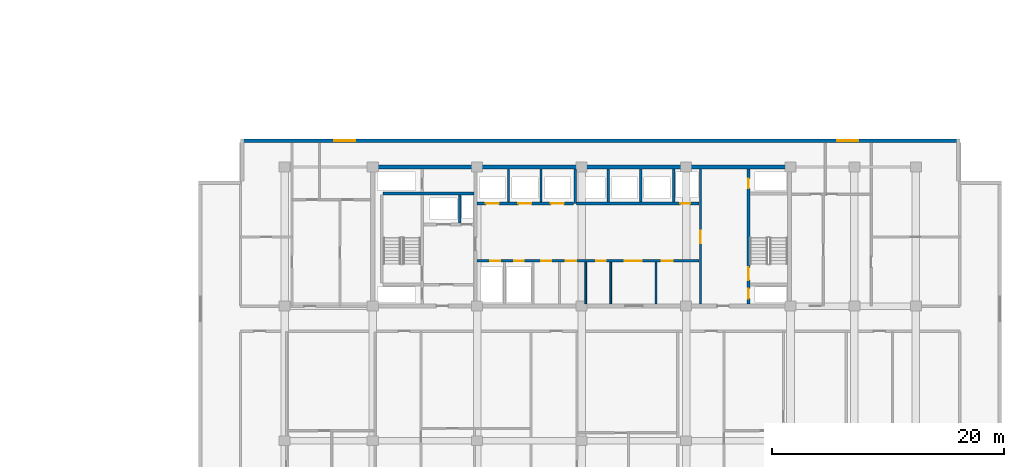
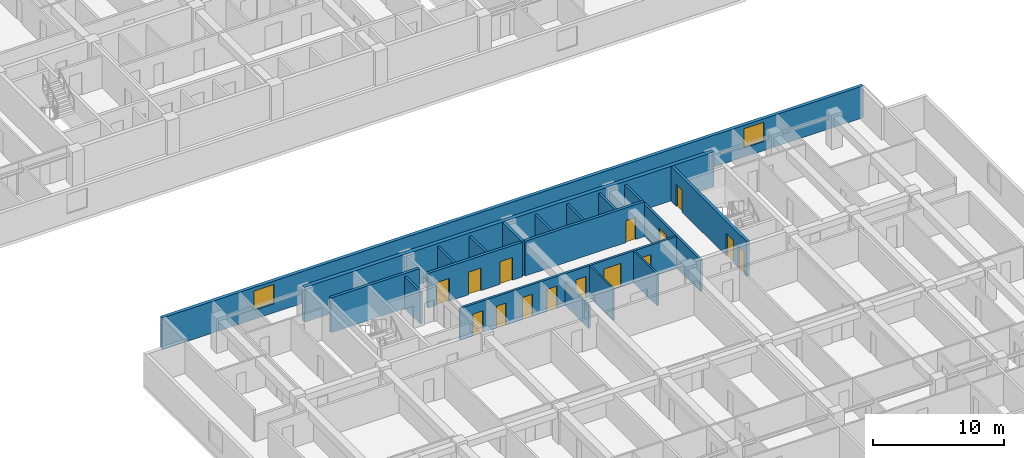
# One storey, part 7 of 24: 18 walls, 15 doors, 2 windows, 17 openings.
"""IFC4 building model written with IfcOpenShell, lengths in metres."""

from ifc_helpers import new_model, si_unit, direction, frame, frame_2d, origin, place, context, subcontext, project, spatial, rectangle, extrude, material, layer, layer_set, type_object, element, fill, save


model = new_model("IFC4")

# Units and contexts
model_context = context("Model", 3, precision=1e-05, world=origin(), true_north=direction((0.0, 1.0)))
body_context = subcontext(model_context, "Body", "Model", "MODEL_VIEW")
ifc_project = project(units=[si_unit("LENGTHUNIT", "METRE"), si_unit("AREAUNIT", "SQUARE_METRE"), si_unit("VOLUMEUNIT", "CUBIC_METRE"), si_unit("PLANEANGLEUNIT", "RADIAN"), si_unit("MASSUNIT", "GRAM", prefix="KILO")], contexts=[model_context])

# Site, building, storey
site_placement = place(None, origin())
site = spatial("IfcSite", under=ifc_project, at=site_placement, CompositionType="ELEMENT")
building_placement = place(site_placement, origin())
building = spatial("IfcBuilding", under=site, at=building_placement, Name="Korimba Cascade Residences", CompositionType="ELEMENT")
storey_placement = place(building_placement, frame((0.0, 0.0, 66.25)))
storey = spatial("IfcBuildingStorey", under=building, at=storey_placement, Name="L18", CompositionType="ELEMENT", Elevation=66.25)

# Wall, openings, windows
ifc_material_1 = material(Name="Precast concrete C40/50", Category="concrete")
ifc_layer_1 = layer(ifc_material_1, 0.300048828125)
ifc_layer_set_1 = layer_set([ifc_layer_1], Name="Precast concrete C40/50")
wall_type_1 = type_object("IfcWallType", Name="EW-STONE-300", PredefinedType="STANDARD", material=ifc_layer_set_1)
wall_1_placement = place(storey_placement, frame((132.699951171875, 32.64990234375, 0.0), z_axis=(0.0, 0.0, 1.0), x_axis=(-1.0, 0.0, 0.0)))
wall_1 = element("IfcWall", 1, at=wall_1_placement, inside=storey, type_object=wall_type_1, Name="L18 T2 Perimeter Stone Wall E06", PredefinedType="STANDARD", context=body_context, shape_type="SweptSolid", body=[
    extrude(rectangle(XDim=62.0, YDim=0.300048828125, at=frame_2d((31.0, 0.0))), origin(), (0.0, 0.0, 1.0), 2.969970703125),
])
opening_1_placement = place(wall_1_placement, frame((52.125, 0.0, 0.85009765625)))
opening_1 = element("IfcOpeningElement", 2, at=opening_1_placement, cuts=wall_1, Name="Opening W-02", PredefinedType="OPENING", context=body_context, shape_type="SweptSolid", body=[
    extrude(rectangle(XDim=1.800048828125, YDim=1.800048828125, at=frame_2d((0.89990234375, 0.89990234375))), frame((0.0, 0.16015625, 0.0), z_axis=(0.0, -1.0, 0.0), x_axis=(1.0, 0.0, 0.0)), (0.0, 0.0, 1.0), 0.320068359375),
])
opening_2_placement = place(wall_1_placement, frame((8.77490234375, 0.0, 0.85009765625)))
opening_2 = element("IfcOpeningElement", 3, at=opening_2_placement, cuts=wall_1, Name="Opening W-02", PredefinedType="OPENING", context=body_context, shape_type="SweptSolid", body=[
    extrude(rectangle(XDim=1.800048828125, YDim=1.800048828125, at=frame_2d((0.89990234375, 0.89990234375))), frame((0.0, 0.16015625, 0.0), z_axis=(0.0, -1.0, 0.0), x_axis=(1.0, 0.0, 0.0)), (0.0, 0.0, 1.0), 0.320068359375),
])
ifc_material_2 = material(Name="Double-Glazed Aluminium Window", Category="aluminium")
window_type = type_object("IfcWindowType", Name="WIN-BED-1800", PartitioningType="SINGLE_PANEL", PredefinedType="WINDOW", material=ifc_material_2)
window_1_placement = place(opening_1_placement, origin())
window_1 = element("IfcWindow", 4, at=window_1_placement, inside=storey, type_object=window_type, Name="L18 T2 North Corner Bedroom Window 1", OverallHeight=1.800048828125, OverallWidth=1.800048828125, PartitioningType="SINGLE_PANEL", PredefinedType="WINDOW", context=body_context, shape_type="SweptSolid", body=[
    extrude(rectangle(XDim=1.800048828125, YDim=1.800048828125, at=frame_2d((0.89990234375, 0.89990234375))), frame((0.0, 0.030029296875, 0.0), z_axis=(0.0, -1.0, 0.0), x_axis=(1.0, 0.0, 0.0)), (0.0, 0.0, 1.0), 0.06005859375),
])
fill(opening_1, window_1)
window_2_placement = place(opening_2_placement, origin())
window_2 = element("IfcWindow", 5, at=window_2_placement, inside=storey, type_object=window_type, Name="L18 T2 North Corner Bedroom Window 2", OverallHeight=1.800048828125, OverallWidth=1.800048828125, PartitioningType="SINGLE_PANEL", PredefinedType="WINDOW", context=body_context, shape_type="SweptSolid", body=[
    extrude(rectangle(XDim=1.800048828125, YDim=1.800048828125, at=frame_2d((0.89990234375, 0.89990234375))), frame((0.0, 0.030029296875, 0.0), z_axis=(0.0, -1.0, 0.0), x_axis=(1.0, 0.0, 0.0)), (0.0, 0.0, 1.0), 0.06005859375),
])
fill(opening_2, window_2)

# Walls
ifc_material_3 = material(Name="Concrete C65/80", Category="concrete")
ifc_layer_2 = layer(ifc_material_3, 0.35009765625)
ifc_layer_set_2 = layer_set([ifc_layer_2], Name="Concrete C65/80")
wall_type_2 = type_object("IfcWallType", Name="WAL-CORE-350", PredefinedType="SHEAR", material=ifc_layer_set_2)
wall_2_placement = place(storey_placement, frame((81.925048828125, 30.39990234375, 0.0), z_axis=(0.0, 0.0, 1.0), x_axis=(1.0, 0.0, 0.0)))
element("IfcWall", 6, at=wall_2_placement, inside=storey, type_object=wall_type_2, Name="L18 Core Shear Wall CW-L18-T2-N", PredefinedType="SHEAR", context=body_context, shape_type="SweptSolid", body=[
    extrude(rectangle(XDim=36.264892578125, YDim=0.35009765625, at=frame_2d((18.13232421875, 0.0))), origin(), (0.0, 0.0, 1.0), 3.25),
])
ifc_material_4 = material(Name="Insulated Acoustic Stud Partition", Category="gypsum")
ifc_layer_3 = layer(ifc_material_4, 0.14990234375)
ifc_layer_set_3 = layer_set([ifc_layer_3], Name="Insulated Acoustic Stud Partition")
wall_type_3 = type_object("IfcWallType", Name="WAL-PART-150", PredefinedType="PARTITIONING", material=ifc_layer_set_3)
wall_3_placement = place(storey_placement, frame((100.449951171875, 18.60009765625, 0.0), z_axis=(0.0, 0.0, 1.0), x_axis=(0.0, 1.0, 0.0)))
element("IfcWall", 7, at=wall_3_placement, inside=storey, type_object=wall_type_3, Name="L18 Partition Wall CW-L18-T2-CA1W2", PredefinedType="PARTITIONING", context=body_context, shape_type="SweptSolid", body=[
    extrude(rectangle(XDim=3.599853515625, YDim=0.14990234375, at=frame_2d((1.7998046875, 0.0))), origin(), (0.0, 0.0, 1.0), 2.219970703125),
])
for number, where, z_axis, x_axis, name in (
    (8, (102.60009765625, 18.60009765625, 0.0), (0.0, 0.0, 1.0), (0.0, 1.0, 0.0), "L18 Partition Wall CW-L18-T2-THW"),
    (9, (106.5, 18.60009765625, 0.0), (0.0, 0.0, 1.0), (0.0, 1.0, 0.0), "L18 Partition Wall CW-L18-T2-THE"),
):
    element("IfcWall", number, at=place(storey_placement, frame(where, z_axis=z_axis, x_axis=x_axis)), inside=storey, type_object=wall_type_3, Name=name, PredefinedType="PARTITIONING", context=body_context, shape_type="SweptSolid", body=[
        extrude(rectangle(XDim=3.599853515625, YDim=0.14990234375, at=frame_2d((1.7998046875, 0.0))), origin(), (0.0, 0.0, 1.0), 2.969970703125),
    ])
ifc_material_5 = material(Name="Concrete C40/50", Category="concrete")
ifc_layer_4 = layer(ifc_material_5, 0.199951171875)
ifc_layer_set_4 = layer_set([ifc_layer_4], Name="Concrete C40/50")
wall_type_4 = type_object("IfcWallType", Name="WAL-PART-200", PredefinedType="PARTITIONING", material=ifc_layer_set_4)
wall_4_placement = place(storey_placement, frame((89.60009765625, 25.580078125, 0.0), z_axis=(0.0, 0.0, 1.0), x_axis=(0.0, 1.0, 0.0)))
element("IfcWall", 10, at=wall_4_placement, inside=storey, type_object=wall_type_4, Name="L18 Partition Wall CW-L18-T2-FFLDIV", PredefinedType="PARTITIONING", context=body_context, shape_type="SweptSolid", body=[
    extrude(rectangle(XDim=2.419921875, YDim=0.199951171875, at=frame_2d((1.2099609375, 0.0))), origin(), (0.0, 0.0, 1.0), 2.969970703125),
])
for number, where, z_axis, x_axis, name in (
    (11, (93.800048828125, 27.3798828125, 0.0), (0.0, 0.0, 1.0), (0.0, 1.0, 0.0), "L18 Partition Wall CW-L18-T2-B1D1"),
    (12, (96.60009765625, 27.3798828125, 0.0), (0.0, 0.0, 1.0), (0.0, 1.0, 0.0), "L18 Partition Wall CW-L18-T2-B1D2"),
    (13, (102.39990234375, 27.3798828125, 0.0), (0.0, 0.0, 1.0), (0.0, 1.0, 0.0), "L18 Partition Wall CW-L18-T2-B2D1"),
    (14, (105.199951171875, 27.3798828125, 0.0), (0.0, 0.0, 1.0), (0.0, 1.0, 0.0), "L18 Partition Wall CW-L18-T2-B2D2"),
    (15, (108.050048828125, 27.3798828125, 0.0), (0.0, 0.0, 1.0), (0.0, 1.0, 0.0), "L18 Partition Wall CW-L18-T2-B2D3"),
):
    element("IfcWall", number, at=place(storey_placement, frame(where, z_axis=z_axis, x_axis=x_axis)), inside=storey, type_object=wall_type_4, Name=name, PredefinedType="PARTITIONING", context=body_context, shape_type="SweptSolid", body=[
        extrude(rectangle(XDim=2.820068359375, YDim=0.199951171875, at=frame_2d((1.41015625, 0.0))), origin(), (0.0, 0.0, 1.0), 2.969970703125),
    ])

# Wall, openings, doors
wall_5_placement = place(storey_placement, frame((91.080078125, 22.300048828125, 0.0), z_axis=(0.0, 0.0, 1.0), x_axis=(1.0, 0.0, 0.0)))
wall_5 = element("IfcWall", 16, at=wall_5_placement, inside=storey, type_object=wall_type_4, Name="L18 Partition Wall CW-L18-T2-SRVROW", PredefinedType="PARTITIONING", context=body_context, shape_type="SweptSolid", body=[
    extrude(rectangle(XDim=19.139892578125, YDim=0.199951171875, at=frame_2d((9.56982421875, 0.0))), origin(), (0.0, 0.0, 1.0), 2.969970703125),
])
opening_3_placement = place(wall_5_placement, frame((1.14990234375, 0.0, 0.0)))
opening_3 = element("IfcOpeningElement", 17, at=opening_3_placement, cuts=wall_5, Name="Opening D-RS1", PredefinedType="OPENING", context=body_context, shape_type="SweptSolid", body=[
    extrude(rectangle(XDim=0.85009765625, YDim=2.050048828125, at=frame_2d((0.425048828125, 1.02490234375))), frame((0.0, 0.10986328125, 0.0), z_axis=(0.0, -1.0, 0.0), x_axis=(1.0, 0.0, 0.0)), (0.0, 0.0, 1.0), 0.219970703125),
])
opening_4_placement = place(wall_5_placement, frame((3.199951171875, 0.0, 0.0)))
opening_4 = element("IfcOpeningElement", 18, at=opening_4_placement, cuts=wall_5, Name="Opening D-RS1", PredefinedType="OPENING", context=body_context, shape_type="SweptSolid", body=[
    extrude(rectangle(XDim=0.85009765625, YDim=2.050048828125, at=frame_2d((0.425048828125, 1.02490234375))), frame((0.0, 0.10986328125, 0.0), z_axis=(0.0, -1.0, 0.0), x_axis=(1.0, 0.0, 0.0)), (0.0, 0.0, 1.0), 0.219970703125),
])
opening_5_placement = place(wall_5_placement, frame((12.719970703125, 0.0, 0.0)))
opening_5 = element("IfcOpeningElement", 19, at=opening_5_placement, cuts=wall_5, Name="Opening D-FD8", PredefinedType="OPENING", context=body_context, shape_type="SweptSolid", body=[
    extrude(rectangle(XDim=1.5, YDim=2.199951171875, at=frame_2d((0.75, 1.10009765625))), frame((0.0, 0.10986328125, 0.0), z_axis=(0.0, -1.0, 0.0), x_axis=(1.0, 0.0, 0.0)), (0.0, 0.0, 1.0), 0.219970703125),
])
opening_6_placement = place(wall_5_placement, frame((5.52001953125, 0.0, 0.0)))
opening_6 = element("IfcOpeningElement", 20, at=opening_6_placement, cuts=wall_5, Name="Opening D-IN2", PredefinedType="OPENING", context=body_context, shape_type="SweptSolid", body=[
    extrude(rectangle(XDim=0.8798828125, YDim=2.06005859375, at=frame_2d((0.43994140625, 1.030029296875))), frame((0.0, 0.10986328125, 0.0), z_axis=(0.0, -1.0, 0.0), x_axis=(1.0, 0.0, 0.0)), (0.0, 0.0, 1.0), 0.219970703125),
])
opening_7_placement = place(wall_5_placement, frame((7.669921875, 0.0, 0.0)))
opening_7 = element("IfcOpeningElement", 21, at=opening_7_placement, cuts=wall_5, Name="Opening D-IN2", PredefinedType="OPENING", context=body_context, shape_type="SweptSolid", body=[
    extrude(rectangle(XDim=0.8798828125, YDim=2.06005859375, at=frame_2d((0.43994140625, 1.030029296875))), frame((0.0, 0.10986328125, 0.0), z_axis=(0.0, -1.0, 0.0), x_axis=(1.0, 0.0, 0.0)), (0.0, 0.0, 1.0), 0.219970703125),
])
opening_8_placement = place(wall_5_placement, frame((10.27001953125, 0.0, 0.0)))
opening_8 = element("IfcOpeningElement", 22, at=opening_8_placement, cuts=wall_5, Name="Opening D-RS1", PredefinedType="OPENING", context=body_context, shape_type="SweptSolid", body=[
    extrude(rectangle(XDim=0.85009765625, YDim=2.050048828125, at=frame_2d((0.425048828125, 1.02490234375))), frame((0.0, 0.10986328125, 0.0), z_axis=(0.0, -1.0, 0.0), x_axis=(1.0, 0.0, 0.0)), (0.0, 0.0, 1.0), 0.219970703125),
])
opening_9_placement = place(wall_5_placement, frame((15.919921875, 0.0, 0.0)))
opening_9 = element("IfcOpeningElement", 23, at=opening_9_placement, cuts=wall_5, Name="Opening D-AC1", PredefinedType="OPENING", context=body_context, shape_type="SweptSolid", body=[
    extrude(rectangle(XDim=0.9599609375, YDim=2.10009765625, at=frame_2d((0.47998046875, 1.050048828125))), frame((0.0, 0.10986328125, 0.0), z_axis=(0.0, -1.0, 0.0), x_axis=(1.0, 0.0, 0.0)), (0.0, 0.0, 1.0), 0.219970703125),
])
ifc_material_6 = material(Name="Accessible Acoustic Timber WC Door", Category="wood")
door_type_1 = type_object("IfcDoorType", Name="DR-ACC-950", OperationType="NOTDEFINED", PredefinedType="DOOR", material=ifc_material_6)
door_1_placement = place(opening_9_placement, origin())
door_1 = element("IfcDoor", 24, at=door_1_placement, inside=storey, type_object=door_type_1, Name="L18 T2 Accessible Staff WC Door", OperationType="SINGLE_SWING_RIGHT", OverallHeight=2.10009765625, OverallWidth=0.9599609375, PredefinedType="DOOR", context=body_context, shape_type="SweptSolid", body=[
    extrude(rectangle(XDim=0.9599609375, YDim=2.10009765625, at=frame_2d((0.47998046875, 1.050048828125))), frame((0.0, 0.02490234375, 0.0), z_axis=(0.0, -1.0, 0.0), x_axis=(1.0, 0.0, 0.0)), (0.0, 0.0, 1.0), 0.050048828125),
])
fill(opening_9, door_1)
ifc_material_7 = material(Name="Fire-Rated Steel Riser Access Door", Category="steel")
door_type_2 = type_object("IfcDoorType", Name="DR-FD60-850", OperationType="NOTDEFINED", PredefinedType="DOOR", material=ifc_material_7)
door_2_placement = place(opening_3_placement, origin())
door_2 = element("IfcDoor", 25, at=door_2_placement, inside=storey, type_object=door_type_2, Name="L18 T2 Electrical Riser Door", OperationType="SINGLE_SWING_LEFT", OverallHeight=2.050048828125, OverallWidth=0.85009765625, PredefinedType="DOOR", context=body_context, shape_type="SweptSolid", body=[
    extrude(rectangle(XDim=0.85009765625, YDim=2.050048828125, at=frame_2d((0.425048828125, 1.02490234375))), frame((0.0, 0.02490234375, 0.0), z_axis=(0.0, -1.0, 0.0), x_axis=(1.0, 0.0, 0.0)), (0.0, 0.0, 1.0), 0.050048828125),
])
fill(opening_3, door_2)
door_3_placement = place(opening_4_placement, origin())
door_3 = element("IfcDoor", 26, at=door_3_placement, inside=storey, type_object=door_type_2, Name="L18 T2 Plumbing Riser Door", OperationType="SINGLE_SWING_RIGHT", OverallHeight=2.050048828125, OverallWidth=0.85009765625, PredefinedType="DOOR", context=body_context, shape_type="SweptSolid", body=[
    extrude(rectangle(XDim=0.85009765625, YDim=2.050048828125, at=frame_2d((0.425048828125, 1.02490234375))), frame((0.0, 0.02490234375, 0.0), z_axis=(0.0, -1.0, 0.0), x_axis=(1.0, 0.0, 0.0)), (0.0, 0.0, 1.0), 0.050048828125),
])
fill(opening_4, door_3)
door_4_placement = place(opening_8_placement, origin())
door_4 = element("IfcDoor", 27, at=door_4_placement, inside=storey, type_object=door_type_2, Name="L18 T2 IT Room Door", OperationType="SINGLE_SWING_LEFT", OverallHeight=2.050048828125, OverallWidth=0.85009765625, PredefinedType="DOOR", context=body_context, shape_type="SweptSolid", body=[
    extrude(rectangle(XDim=0.85009765625, YDim=2.050048828125, at=frame_2d((0.425048828125, 1.02490234375))), frame((0.0, 0.02490234375, 0.0), z_axis=(0.0, -1.0, 0.0), x_axis=(1.0, 0.0, 0.0)), (0.0, 0.0, 1.0), 0.050048828125),
])
fill(opening_8, door_4)
ifc_material_8 = material(Name="Fire-Rated Glazed Lift Lobby Double Door", Category="glass")
door_type_3 = type_object("IfcDoorType", Name="DR-FD90-1500", OperationType="NOTDEFINED", PredefinedType="DOOR", material=ifc_material_8)
door_5_placement = place(opening_5_placement, origin())
door_5 = element("IfcDoor", 28, at=door_5_placement, inside=storey, type_object=door_type_3, Name="L18 T2 Lift Lobby Foyer Door", OperationType="DOUBLE_DOOR_SINGLE_SWING", OverallHeight=2.199951171875, OverallWidth=1.5, PredefinedType="DOOR", context=body_context, shape_type="SweptSolid", body=[
    extrude(rectangle(XDim=1.5, YDim=2.199951171875, at=frame_2d((0.75, 1.10009765625))), frame((0.0, 0.02490234375, 0.0), z_axis=(0.0, -1.0, 0.0), x_axis=(1.0, 0.0, 0.0)), (0.0, 0.0, 1.0), 0.050048828125),
])
fill(opening_5, door_5)
ifc_material_9 = material(Name="Acoustic Timber Bedroom Door", Category="wood")
door_type_4 = type_object("IfcDoorType", Name="DR-INT-880", OperationType="NOTDEFINED", PredefinedType="DOOR", material=ifc_material_9)
door_6_placement = place(opening_6_placement, origin())
door_6 = element("IfcDoor", 29, at=door_6_placement, inside=storey, type_object=door_type_4, Name="L18 T2 Cleaners Door", OperationType="SINGLE_SWING_LEFT", OverallHeight=2.06005859375, OverallWidth=0.8798828125, PredefinedType="DOOR", context=body_context, shape_type="SweptSolid", body=[
    extrude(rectangle(XDim=0.8798828125, YDim=2.06005859375, at=frame_2d((0.43994140625, 1.030029296875))), frame((0.0, 0.02490234375, 0.0), z_axis=(0.0, -1.0, 0.0), x_axis=(1.0, 0.0, 0.0)), (0.0, 0.0, 1.0), 0.050048828125),
])
fill(opening_6, door_6)
door_7_placement = place(opening_7_placement, origin())
door_7 = element("IfcDoor", 30, at=door_7_placement, inside=storey, type_object=door_type_4, Name="L18 T2 Pantry Door", OperationType="SINGLE_SWING_RIGHT", OverallHeight=2.06005859375, OverallWidth=0.8798828125, PredefinedType="DOOR", context=body_context, shape_type="SweptSolid", body=[
    extrude(rectangle(XDim=0.8798828125, YDim=2.06005859375, at=frame_2d((0.43994140625, 1.030029296875))), frame((0.0, 0.02490234375, 0.0), z_axis=(0.0, -1.0, 0.0), x_axis=(1.0, 0.0, 0.0)), (0.0, 0.0, 1.0), 0.050048828125),
])
fill(opening_7, door_7)

# Wall, opening, door
wall_6_placement = place(storey_placement, frame((110.35009765625, 18.60009765625, 0.0), z_axis=(0.0, 0.0, 1.0), x_axis=(0.0, 1.0, 0.0)))
wall_6 = element("IfcWall", 31, at=wall_6_placement, inside=storey, type_object=wall_type_4, Name="L18 Partition Wall CW-L18-T2-LLEV", PredefinedType="PARTITIONING", context=body_context, shape_type="SweptSolid", body=[
    extrude(rectangle(XDim=11.599853515625, YDim=0.199951171875, at=frame_2d((5.7998046875, 0.0))), origin(), (0.0, 0.0, 1.0), 2.969970703125),
])
opening_10_placement = place(wall_6_placement, frame((5.199951171875, 0.0, 0.0)))
opening_10 = element("IfcOpeningElement", 32, at=opening_10_placement, cuts=wall_6, Name="Opening D-FD6", PredefinedType="OPENING", context=body_context, shape_type="SweptSolid", body=[
    extrude(rectangle(XDim=1.10009765625, YDim=2.14990234375, at=frame_2d((0.550048828125, 1.074951171875))), frame((0.0, 0.10986328125, 0.0), z_axis=(0.0, -1.0, 0.0), x_axis=(1.0, 0.0, 0.0)), (0.0, 0.0, 1.0), 0.219970703125),
])
ifc_material_10 = material(Name="Fire-Rated Timber Stair Lobby Door", Category="wood")
door_type_5 = type_object("IfcDoorType", Name="DR-FD90-1100", OperationType="NOTDEFINED", PredefinedType="DOOR", material=ifc_material_10)
door_8_placement = place(opening_10_placement, origin())
door_8 = element("IfcDoor", 33, at=door_8_placement, inside=storey, type_object=door_type_5, Name="L18 T2 Lift Lobby to East Stair Lobby Door", OperationType="SINGLE_SWING_LEFT", OverallHeight=2.14990234375, OverallWidth=1.10009765625, PredefinedType="DOOR", context=body_context, shape_type="SweptSolid", body=[
    extrude(rectangle(XDim=1.10009765625, YDim=2.14990234375, at=frame_2d((0.550048828125, 1.074951171875))), frame((0.0, 0.02490234375, 0.0), z_axis=(0.0, -1.0, 0.0), x_axis=(1.0, 0.0, 0.0)), (0.0, 0.0, 1.0), 0.050048828125),
])
fill(opening_10, door_8)

# Wall
ifc_material_11 = material(Name="Concrete C50/60", Category="concrete")
ifc_layer_5 = layer(ifc_material_11, 0.25)
ifc_layer_set_5 = layer_set([ifc_layer_5], Name="Concrete C50/60")
wall_type_5 = type_object("IfcWallType", Name="WAL-SHAFT-250", PredefinedType="SHEAR", material=ifc_layer_set_5)
wall_7_placement = place(storey_placement, frame((83.0, 28.125, 0.0), z_axis=(0.0, 0.0, 1.0), x_axis=(1.0, 0.0, 0.0)))
element("IfcWall", 34, at=wall_7_placement, inside=storey, type_object=wall_type_5, Name="L18 Core Shear Wall CW-L18-T2-STE1N", PredefinedType="SHEAR", context=body_context, shape_type="SweptSolid", body=[
    extrude(rectangle(XDim=7.820068359375, YDim=0.25, at=frame_2d((3.91015625, 0.0))), origin(), (0.0, 0.0, 1.0), 3.25),
])

# Wall, openings, doors
wall_8_placement = place(storey_placement, frame((91.080078125, 27.25, 0.0), z_axis=(0.0, 0.0, 1.0), x_axis=(1.0, 0.0, 0.0)))
wall_8 = element("IfcWall", 35, at=wall_8_placement, inside=storey, type_object=wall_type_5, Name="L18 Core Shear Wall CW-L18-T2-B1S", PredefinedType="SHEAR", context=body_context, shape_type="SweptSolid", body=[
    extrude(rectangle(XDim=8.33984375, YDim=0.25, at=frame_2d((4.169921875, 0.0))), origin(), (0.0, 0.0, 1.0), 3.25),
])
opening_11_placement = place(wall_8_placement, frame((0.760009765625, 0.0, 0.0)))
opening_11 = element("IfcOpeningElement", 36, at=opening_11_placement, cuts=wall_8, Name="Opening LD-01", PredefinedType="OPENING", context=body_context, shape_type="SweptSolid", body=[
    extrude(rectangle(XDim=1.1201171875, YDim=2.1201171875, at=frame_2d((0.56005859375, 1.06005859375))), frame((0.0, 0.135009765625, 0.0), z_axis=(0.0, -1.0, 0.0), x_axis=(1.0, 0.0, 0.0)), (0.0, 0.0, 1.0), 0.27001953125),
])
opening_12_placement = place(wall_8_placement, frame((3.56005859375, 0.0, 0.0)))
opening_12 = element("IfcOpeningElement", 37, at=opening_12_placement, cuts=wall_8, Name="Opening LD-01", PredefinedType="OPENING", context=body_context, shape_type="SweptSolid", body=[
    extrude(rectangle(XDim=1.1201171875, YDim=2.1201171875, at=frame_2d((0.56005859375, 1.06005859375))), frame((0.0, 0.135009765625, 0.0), z_axis=(0.0, -1.0, 0.0), x_axis=(1.0, 0.0, 0.0)), (0.0, 0.0, 1.0), 0.27001953125),
])
opening_13_placement = place(wall_8_placement, frame((6.360107421875, 0.0, 0.0)))
opening_13 = element("IfcOpeningElement", 38, at=opening_13_placement, cuts=wall_8, Name="Opening LD-01", PredefinedType="OPENING", context=body_context, shape_type="SweptSolid", body=[
    extrude(rectangle(XDim=1.1201171875, YDim=2.1201171875, at=frame_2d((0.56005859375, 1.06005859375))), frame((0.0, 0.135009765625, 0.0), z_axis=(0.0, -1.0, 0.0), x_axis=(1.0, 0.0, 0.0)), (0.0, 0.0, 1.0), 0.27001953125),
])
ifc_material_12 = material(Name="Stainless Steel Lift Landing Sliding Door", Category="steel")
door_type_6 = type_object("IfcDoorType", Name="DR-LIFT-1100", OperationType="NOTDEFINED", PredefinedType="DOOR", material=ifc_material_12)
door_9_placement = place(opening_11_placement, origin())
door_9 = element("IfcDoor", 39, at=door_9_placement, inside=storey, type_object=door_type_6, Name="L18 Lift Landing Door PL-E1", OperationType="SLIDING_TO_LEFT", OverallHeight=2.1201171875, OverallWidth=1.1201171875, PredefinedType="DOOR", context=body_context, shape_type="SweptSolid", body=[
    extrude(rectangle(XDim=1.1201171875, YDim=2.1201171875, at=frame_2d((0.56005859375, 1.06005859375))), frame((0.0, 0.02490234375, 0.0), z_axis=(0.0, -1.0, 0.0), x_axis=(1.0, 0.0, 0.0)), (0.0, 0.0, 1.0), 0.050048828125),
])
fill(opening_11, door_9)
door_10_placement = place(opening_12_placement, origin())
door_10 = element("IfcDoor", 40, at=door_10_placement, inside=storey, type_object=door_type_6, Name="L18 Lift Landing Door PL-E2", OperationType="SLIDING_TO_LEFT", OverallHeight=2.1201171875, OverallWidth=1.1201171875, PredefinedType="DOOR", context=body_context, shape_type="SweptSolid", body=[
    extrude(rectangle(XDim=1.1201171875, YDim=2.1201171875, at=frame_2d((0.56005859375, 1.06005859375))), frame((0.0, 0.02490234375, 0.0), z_axis=(0.0, -1.0, 0.0), x_axis=(1.0, 0.0, 0.0)), (0.0, 0.0, 1.0), 0.050048828125),
])
fill(opening_12, door_10)
door_11_placement = place(opening_13_placement, origin())
door_11 = element("IfcDoor", 41, at=door_11_placement, inside=storey, type_object=door_type_6, Name="L18 Lift Landing Door PL-E3", OperationType="SLIDING_TO_LEFT", OverallHeight=2.1201171875, OverallWidth=1.1201171875, PredefinedType="DOOR", context=body_context, shape_type="SweptSolid", body=[
    extrude(rectangle(XDim=1.1201171875, YDim=2.1201171875, at=frame_2d((0.56005859375, 1.06005859375))), frame((0.0, 0.02490234375, 0.0), z_axis=(0.0, -1.0, 0.0), x_axis=(1.0, 0.0, 0.0)), (0.0, 0.0, 1.0), 0.050048828125),
])
fill(opening_13, door_11)

# Wall
wall_9_placement = place(storey_placement, frame((99.550048828125, 27.25, 0.0), z_axis=(0.0, 0.0, 1.0), x_axis=(0.0, 1.0, 0.0)))
element("IfcWall", 42, at=wall_9_placement, inside=storey, type_object=wall_type_5, Name="L18 Core Shear Wall CW-L18-T2-B12DIV", PredefinedType="SHEAR", context=body_context, shape_type="SweptSolid", body=[
    extrude(rectangle(XDim=2.949951171875, YDim=0.25, at=frame_2d((1.47509765625, 0.0))), origin(), (0.0, 0.0, 1.0), 3.25),
])

# Wall, opening, door
wall_10_placement = place(storey_placement, frame((99.679931640625, 27.25, 0.0), z_axis=(0.0, 0.0, 1.0), x_axis=(1.0, 0.0, 0.0)))
wall_10 = element("IfcWall", 43, at=wall_10_placement, inside=storey, type_object=wall_type_5, Name="L18 Core Shear Wall CW-L18-T2-B2S", PredefinedType="SHEAR", context=body_context, shape_type="SweptSolid", body=[
    extrude(rectangle(XDim=10.5400390625, YDim=0.25, at=frame_2d((5.27001953125, 0.0))), origin(), (0.0, 0.0, 1.0), 3.25),
])
opening_14_placement = place(wall_10_placement, frame((8.919921875, 0.0, 0.0)))
opening_14 = element("IfcOpeningElement", 44, at=opening_14_placement, cuts=wall_10, Name="Opening D-RS1", PredefinedType="OPENING", context=body_context, shape_type="SweptSolid", body=[
    extrude(rectangle(XDim=0.85009765625, YDim=2.050048828125, at=frame_2d((0.425048828125, 1.02490234375))), frame((0.0, 0.135009765625, 0.0), z_axis=(0.0, -1.0, 0.0), x_axis=(1.0, 0.0, 0.0)), (0.0, 0.0, 1.0), 0.27001953125),
])
door_12_placement = place(opening_14_placement, origin())
door_12 = element("IfcDoor", 45, at=door_12_placement, inside=storey, type_object=door_type_2, Name="L18 T2 Duct Door", OperationType="SINGLE_SWING_RIGHT", OverallHeight=2.050048828125, OverallWidth=0.85009765625, PredefinedType="DOOR", context=body_context, shape_type="SweptSolid", body=[
    extrude(rectangle(XDim=0.85009765625, YDim=2.050048828125, at=frame_2d((0.425048828125, 1.02490234375))), frame((0.0, 0.02490234375, 0.0), z_axis=(0.0, -1.0, 0.0), x_axis=(1.0, 0.0, 0.0)), (0.0, 0.0, 1.0), 0.050048828125),
])
fill(opening_14, door_12)

# Wall, openings, doors
wall_11_placement = place(storey_placement, frame((114.47509765625, 18.60009765625, 0.0), z_axis=(0.0, 0.0, 1.0), x_axis=(0.0, 1.0, 0.0)))
wall_11 = element("IfcWall", 46, at=wall_11_placement, inside=storey, type_object=wall_type_5, Name="L18 Core Shear Wall CW-L18-T2-STE2W", PredefinedType="SHEAR", context=body_context, shape_type="SweptSolid", body=[
    extrude(rectangle(XDim=11.599853515625, YDim=0.25, at=frame_2d((5.7998046875, 0.0))), origin(), (0.0, 0.0, 1.0), 3.25),
])
opening_15_placement = place(wall_11_placement, frame((0.449951171875, 0.0, 0.0)))
opening_15 = element("IfcOpeningElement", 47, at=opening_15_placement, cuts=wall_11, Name="Opening D-RS1", PredefinedType="OPENING", context=body_context, shape_type="SweptSolid", body=[
    extrude(rectangle(XDim=0.85009765625, YDim=2.050048828125, at=frame_2d((0.425048828125, 1.02490234375))), frame((0.0, 0.135009765625, 0.0), z_axis=(0.0, -1.0, 0.0), x_axis=(1.0, 0.0, 0.0)), (0.0, 0.0, 1.0), 0.27001953125),
])
opening_16_placement = place(wall_11_placement, frame((2.050048828125, 0.0, 0.0)))
opening_16 = element("IfcOpeningElement", 48, at=opening_16_placement, cuts=wall_11, Name="Opening D-FD1", PredefinedType="OPENING", context=body_context, shape_type="SweptSolid", body=[
    extrude(rectangle(XDim=1.10009765625, YDim=2.10009765625, at=frame_2d((0.550048828125, 1.050048828125))), frame((0.0, 0.135009765625, 0.0), z_axis=(0.0, -1.0, 0.0), x_axis=(1.0, 0.0, 0.0)), (0.0, 0.0, 1.0), 0.27001953125),
])
opening_17_placement = place(wall_11_placement, frame((9.949951171875, 0.0, 0.0)))
opening_17 = element("IfcOpeningElement", 49, at=opening_17_placement, cuts=wall_11, Name="Opening D-RS1", PredefinedType="OPENING", context=body_context, shape_type="SweptSolid", body=[
    extrude(rectangle(XDim=0.85009765625, YDim=2.050048828125, at=frame_2d((0.425048828125, 1.02490234375))), frame((0.0, 0.135009765625, 0.0), z_axis=(0.0, -1.0, 0.0), x_axis=(1.0, 0.0, 0.0)), (0.0, 0.0, 1.0), 0.27001953125),
])
ifc_material_13 = material(Name="Fire-Rated Steel Core Door", Category="steel")
door_type_7 = type_object("IfcDoorType", Name="DR-FD120-1100", OperationType="NOTDEFINED", PredefinedType="DOOR", material=ifc_material_13)
door_13_placement = place(opening_16_placement, origin())
door_13 = element("IfcDoor", 50, at=door_13_placement, inside=storey, type_object=door_type_7, Name="L18 Fire Stair ST-E2 Door", OperationType="SINGLE_SWING_LEFT", OverallHeight=2.10009765625, OverallWidth=1.10009765625, PredefinedType="DOOR", context=body_context, shape_type="SweptSolid", body=[
    extrude(rectangle(XDim=1.10009765625, YDim=2.10009765625, at=frame_2d((0.550048828125, 1.050048828125))), frame((0.0, 0.02490234375, 0.0), z_axis=(0.0, -1.0, 0.0), x_axis=(1.0, 0.0, 0.0)), (0.0, 0.0, 1.0), 0.050048828125),
])
fill(opening_16, door_13)
door_14_placement = place(opening_15_placement, origin())
door_14 = element("IfcDoor", 51, at=door_14_placement, inside=storey, type_object=door_type_2, Name="L18 T2 East Hydrant Door", OperationType="SINGLE_SWING_RIGHT", OverallHeight=2.050048828125, OverallWidth=0.85009765625, PredefinedType="DOOR", context=body_context, shape_type="SweptSolid", body=[
    extrude(rectangle(XDim=0.85009765625, YDim=2.050048828125, at=frame_2d((0.425048828125, 1.02490234375))), frame((0.0, 0.02490234375, 0.0), z_axis=(0.0, -1.0, 0.0), x_axis=(1.0, 0.0, 0.0)), (0.0, 0.0, 1.0), 0.050048828125),
])
fill(opening_15, door_14)
door_15_placement = place(opening_17_placement, origin())
door_15 = element("IfcDoor", 52, at=door_15_placement, inside=storey, type_object=door_type_2, Name="L18 T2 East Riser Door", OperationType="SINGLE_SWING_RIGHT", OverallHeight=2.050048828125, OverallWidth=0.85009765625, PredefinedType="DOOR", context=body_context, shape_type="SweptSolid", body=[
    extrude(rectangle(XDim=0.85009765625, YDim=2.050048828125, at=frame_2d((0.425048828125, 1.02490234375))), frame((0.0, 0.02490234375, 0.0), z_axis=(0.0, -1.0, 0.0), x_axis=(1.0, 0.0, 0.0)), (0.0, 0.0, 1.0), 0.050048828125),
])
fill(opening_17, door_15)

save(model, "model.ifc")
